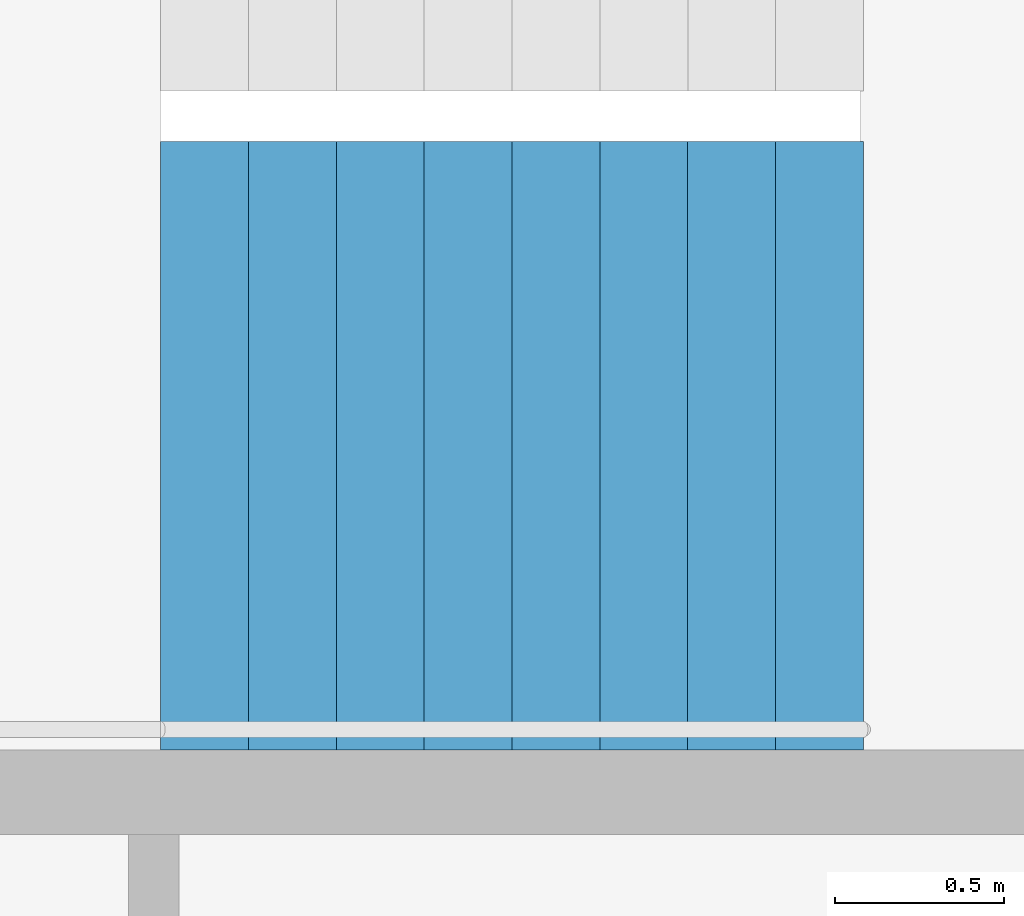
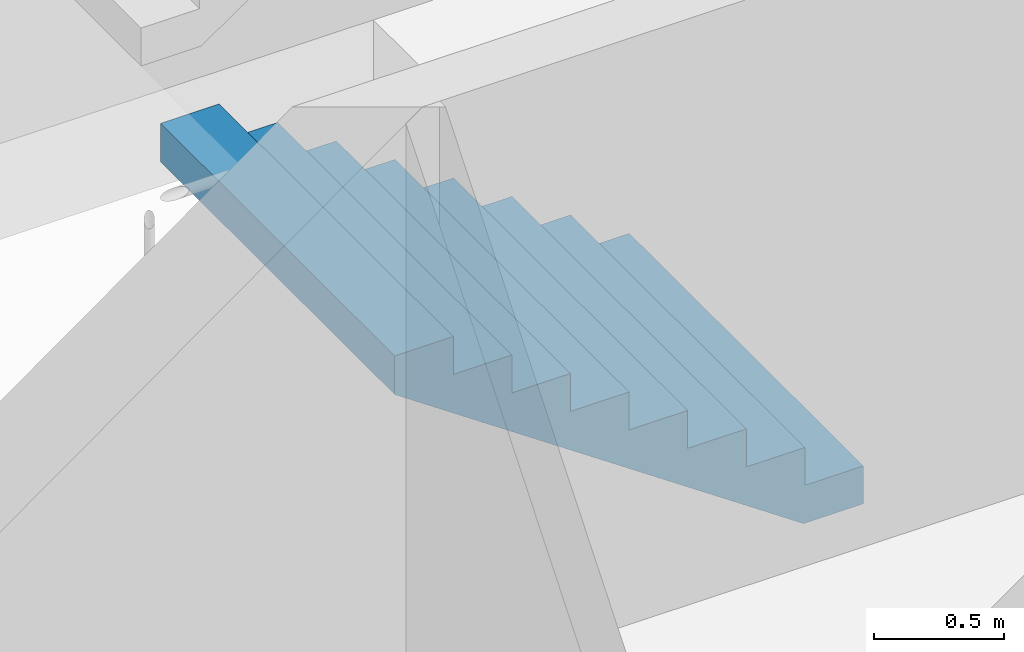
# One storey, part 25 of 27: 1 stair flight, 1 element without a shape of its own.
"""IFC4 building model written with IfcOpenShell, lengths in metres."""

from ifc_helpers import new_model, si_unit, direction, frame, origin, place, context, subcontext, project, spatial, triangles, material, type_object, element, aggregate, save


model = new_model("IFC4")

# Units and contexts
model_context = context("Model", 3, precision=1e-05, world=origin(), true_north=direction((0.0, 1.0)))
body_context = subcontext(model_context, "Body", "Model", "MODEL_VIEW")
ifc_project = project(units=[si_unit("LENGTHUNIT", "METRE"), si_unit("AREAUNIT", "SQUARE_METRE"), si_unit("VOLUMEUNIT", "CUBIC_METRE"), si_unit("PLANEANGLEUNIT", "RADIAN"), si_unit("MASSUNIT", "GRAM", prefix="KILO")], contexts=[model_context])

# Site, building, storey
site_placement = place(None, origin())
site = spatial("IfcSite", under=ifc_project, at=site_placement, CompositionType="ELEMENT")
building_placement = place(site_placement, origin())
building = spatial("IfcBuilding", under=site, at=building_placement, Name="Hakoniwa Tower and Hamabe Station Hall", CompositionType="ELEMENT")
storey_placement = place(building_placement, frame((0.0, 0.0, 248.60009765625)))
storey = spatial("IfcBuildingStorey", under=building, at=storey_placement, Name="L70", CompositionType="ELEMENT", Elevation=248.60009765625)

# Stair, stair flight
ifc_material_1 = material(Name="Concrete C40", Category="concrete")
stair_type = type_object("IfcStairType", Name="ESCAPE STAIR 1800", PredefinedType="HALF_TURN_STAIR", material=ifc_material_1)
stair_placement = place(storey_placement, origin())
stair = element("IfcStair", 1, at=stair_placement, inside=storey, type_object=stair_type, Name="Escape stair ST-3 L70", PredefinedType="HALF_TURN_STAIR")
ifc_material_2 = material(Name="Concrete C40", Category="concrete")
stair_flight_type = type_object("IfcStairFlightType", Name="STAIR FLIGHT 1800", PredefinedType="STRAIGHT", material=ifc_material_2)
stair_flight_placement = place(storey_placement, frame((24.39990234375, 4.64990234375, 0.0), z_axis=(0.0, 0.0, 1.0), x_axis=(-1.0, 0.0, 0.0)))
stair_flight = element("IfcStairFlight", 2, at=stair_flight_placement, type_object=stair_flight_type, Name="ST-3 flight 1", NumberOfRisers=9, NumberOfTreads=8, PredefinedType="STRAIGHT", RiserHeight=0.177777778, TreadLength=0.26, context=body_context, shape_type="Tessellation", body=[
    triangles([(0.0, 0.89990234375, 0.0), (0.260009765625, 0.89990234375, 0.0), (0.265625, 0.89990234375, 0.0), (0.52001953125, 0.89990234375, 0.174072265625), (0.780029296875, 0.89990234375, 0.351806640625), (1.0400390625, 0.89990234375, 0.529541015625), (1.300048828125, 0.89990234375, 0.707275390625), (1.56005859375, 0.89990234375, 0.885009765625), (1.820068359375, 0.89990234375, 1.062744140625), (2.080078125, 0.89990234375, 1.24072265625), (2.080078125, 0.89990234375, 1.422119140625), (1.820068359375, 0.89990234375, 1.422119140625), (1.820068359375, 0.89990234375, 1.244384765625), (1.56005859375, 0.89990234375, 1.244384765625), (1.56005859375, 0.89990234375, 1.066650390625), (1.300048828125, 0.89990234375, 1.066650390625), (1.300048828125, 0.89990234375, 0.888916015625), (1.0400390625, 0.89990234375, 0.888916015625), (1.0400390625, 0.89990234375, 0.711181640625), (0.780029296875, 0.89990234375, 0.711181640625), (0.780029296875, 0.89990234375, 0.533447265625), (0.52001953125, 0.89990234375, 0.533447265625), (0.52001953125, 0.89990234375, 0.35546875), (0.265625, 0.89990234375, 0.35546875), (0.260009765625, 0.89990234375, 0.35546875), (0.260009765625, 0.89990234375, 0.177734375), (0.0, 0.89990234375, 0.177734375), (0.0, 0.06005859375, 0.0), (0.260009765625, 0.06005859375, 0.0), (0.265625, 0.06005859375, 0.0), (0.52001953125, 0.06005859375, 0.174072265625), (0.780029296875, 0.06005859375, 0.351806640625), (1.0400390625, 0.06005859375, 0.529541015625), (1.300048828125, 0.06005859375, 0.707275390625), (1.56005859375, 0.06005859375, 0.885009765625), (1.820068359375, 0.06005859375, 1.062744140625), (2.080078125, 0.06005859375, 1.24072265625), (2.080078125, 0.06005859375, 1.422119140625), (1.820068359375, 0.06005859375, 1.422119140625), (1.820068359375, 0.06005859375, 1.244384765625), (1.56005859375, 0.06005859375, 1.244384765625), (1.56005859375, 0.06005859375, 1.066650390625), (1.300048828125, 0.06005859375, 1.066650390625), (1.300048828125, 0.06005859375, 0.888916015625), (1.0400390625, 0.06005859375, 0.888916015625), (1.0400390625, 0.06005859375, 0.711181640625), (0.780029296875, 0.06005859375, 0.711181640625), (0.780029296875, 0.06005859375, 0.533447265625), (0.52001953125, 0.06005859375, 0.533447265625), (0.52001953125, 0.06005859375, 0.35546875), (0.265625, 0.06005859375, 0.35546875), (0.260009765625, 0.06005859375, 0.35546875), (0.260009765625, 0.06005859375, 0.177734375), (0.0, 0.06005859375, 0.177734375), (0.0, 0.04296875, 0.0), (0.260009765625, 0.04296875, 0.0), (0.265625, 0.04296875, 0.0), (0.52001953125, 0.04296875, 0.174072265625), (0.780029296875, 0.04296875, 0.351806640625), (1.0400390625, 0.04296875, 0.529541015625), (1.300048828125, 0.04296875, 0.707275390625), (1.56005859375, 0.04296875, 0.885009765625), (1.820068359375, 0.04296875, 1.062744140625), (2.080078125, 0.04296875, 1.24072265625), (2.080078125, 0.04296875, 1.422119140625), (1.820068359375, 0.04296875, 1.422119140625), (1.820068359375, 0.04296875, 1.244384765625), (1.56005859375, 0.04296875, 1.244384765625), (1.56005859375, 0.04296875, 1.066650390625), (1.300048828125, 0.04296875, 1.066650390625), (1.300048828125, 0.04296875, 0.888916015625), (1.0400390625, 0.04296875, 0.888916015625), (1.0400390625, 0.04296875, 0.711181640625), (0.780029296875, 0.04296875, 0.711181640625), (0.780029296875, 0.04296875, 0.533447265625), (0.52001953125, 0.04296875, 0.533447265625), (0.52001953125, 0.04296875, 0.35546875), (0.265625, 0.04296875, 0.35546875), (0.260009765625, 0.04296875, 0.35546875), (0.260009765625, 0.04296875, 0.177734375), (0.0, 0.04296875, 0.177734375), (0.0, 0.025634765625, 0.0), (0.260009765625, 0.025634765625, 0.0), (0.265625, 0.025634765625, 0.0), (0.52001953125, 0.025634765625, 0.174072265625), (0.780029296875, 0.025634765625, 0.351806640625), (1.0400390625, 0.025634765625, 0.529541015625), (1.300048828125, 0.025634765625, 0.707275390625), (1.56005859375, 0.025634765625, 0.885009765625), (1.820068359375, 0.025634765625, 1.062744140625), (2.080078125, 0.025634765625, 1.24072265625), (2.080078125, 0.025634765625, 1.422119140625), (1.820068359375, 0.025634765625, 1.422119140625), (1.820068359375, 0.025634765625, 1.244384765625), (1.56005859375, 0.025634765625, 1.244384765625), (1.56005859375, 0.025634765625, 1.066650390625), (1.300048828125, 0.025634765625, 1.066650390625), (1.300048828125, 0.025634765625, 0.888916015625), (1.0400390625, 0.025634765625, 0.888916015625), (1.0400390625, 0.025634765625, 0.711181640625), (0.780029296875, 0.025634765625, 0.711181640625), (0.780029296875, 0.025634765625, 0.533447265625), (0.52001953125, 0.025634765625, 0.533447265625), (0.52001953125, 0.025634765625, 0.35546875), (0.265625, 0.025634765625, 0.35546875), (0.260009765625, 0.025634765625, 0.35546875), (0.260009765625, 0.025634765625, 0.177734375), (0.0, 0.025634765625, 0.177734375), (0.0, 0.008544921875, 0.0), (0.260009765625, 0.008544921875, 0.0), (0.265625, 0.008544921875, 0.0), (0.52001953125, 0.008544921875, 0.174072265625), (0.780029296875, 0.008544921875, 0.351806640625), (1.0400390625, 0.008544921875, 0.529541015625), (1.300048828125, 0.008544921875, 0.707275390625), (1.56005859375, 0.008544921875, 0.885009765625), (1.820068359375, 0.008544921875, 1.062744140625), (2.080078125, 0.008544921875, 1.24072265625), (2.080078125, 0.008544921875, 1.422119140625), (1.820068359375, 0.008544921875, 1.422119140625), (1.820068359375, 0.008544921875, 1.244384765625), (1.56005859375, 0.008544921875, 1.244384765625), (1.56005859375, 0.008544921875, 1.066650390625), (1.300048828125, 0.008544921875, 1.066650390625), (1.300048828125, 0.008544921875, 0.888916015625), (1.0400390625, 0.008544921875, 0.888916015625), (1.0400390625, 0.008544921875, 0.711181640625), (0.780029296875, 0.008544921875, 0.711181640625), (0.780029296875, 0.008544921875, 0.533447265625), (0.52001953125, 0.008544921875, 0.533447265625), (0.52001953125, 0.008544921875, 0.35546875), (0.265625, 0.008544921875, 0.35546875), (0.260009765625, 0.008544921875, 0.35546875), (0.260009765625, 0.008544921875, 0.177734375), (0.0, 0.008544921875, 0.177734375), (0.0, -0.008544921875, 0.0), (0.260009765625, -0.008544921875, 0.0), (0.265625, -0.008544921875, 0.0), (0.52001953125, -0.008544921875, 0.174072265625), (0.780029296875, -0.008544921875, 0.351806640625), (1.0400390625, -0.008544921875, 0.529541015625), (1.300048828125, -0.008544921875, 0.707275390625), (1.56005859375, -0.008544921875, 0.885009765625), (1.820068359375, -0.008544921875, 1.062744140625), (2.080078125, -0.008544921875, 1.24072265625), (2.080078125, -0.008544921875, 1.422119140625), (1.820068359375, -0.008544921875, 1.422119140625), (1.820068359375, -0.008544921875, 1.244384765625), (1.56005859375, -0.008544921875, 1.244384765625), (1.56005859375, -0.008544921875, 1.066650390625), (1.300048828125, -0.008544921875, 1.066650390625), (1.300048828125, -0.008544921875, 0.888916015625), (1.0400390625, -0.008544921875, 0.888916015625), (1.0400390625, -0.008544921875, 0.711181640625), (0.780029296875, -0.008544921875, 0.711181640625), (0.780029296875, -0.008544921875, 0.533447265625), (0.52001953125, -0.008544921875, 0.533447265625), (0.52001953125, -0.008544921875, 0.35546875), (0.265625, -0.008544921875, 0.35546875), (0.260009765625, -0.008544921875, 0.35546875), (0.260009765625, -0.008544921875, 0.177734375), (0.0, -0.008544921875, 0.177734375), (0.0, -0.025634765625, 0.0), (0.260009765625, -0.025634765625, 0.0), (0.265625, -0.025634765625, 0.0), (0.52001953125, -0.025634765625, 0.174072265625), (0.780029296875, -0.025634765625, 0.351806640625), (1.0400390625, -0.025634765625, 0.529541015625), (1.300048828125, -0.025634765625, 0.707275390625), (1.56005859375, -0.025634765625, 0.885009765625), (1.820068359375, -0.025634765625, 1.062744140625), (2.080078125, -0.025634765625, 1.24072265625), (2.080078125, -0.025634765625, 1.422119140625), (1.820068359375, -0.025634765625, 1.422119140625), (1.820068359375, -0.025634765625, 1.244384765625), (1.56005859375, -0.025634765625, 1.244384765625), (1.56005859375, -0.025634765625, 1.066650390625), (1.300048828125, -0.025634765625, 1.066650390625), (1.300048828125, -0.025634765625, 0.888916015625), (1.0400390625, -0.025634765625, 0.888916015625), (1.0400390625, -0.025634765625, 0.711181640625), (0.780029296875, -0.025634765625, 0.711181640625), (0.780029296875, -0.025634765625, 0.533447265625), (0.52001953125, -0.025634765625, 0.533447265625), (0.52001953125, -0.025634765625, 0.35546875), (0.265625, -0.025634765625, 0.35546875), (0.260009765625, -0.025634765625, 0.35546875), (0.260009765625, -0.025634765625, 0.177734375), (0.0, -0.025634765625, 0.177734375), (0.0, -0.04296875, 0.0), (0.260009765625, -0.04296875, 0.0), (0.265625, -0.04296875, 0.0), (0.52001953125, -0.04296875, 0.174072265625), (0.780029296875, -0.04296875, 0.351806640625), (1.0400390625, -0.04296875, 0.529541015625), (1.300048828125, -0.04296875, 0.707275390625), (1.56005859375, -0.04296875, 0.885009765625), (1.820068359375, -0.04296875, 1.062744140625), (2.080078125, -0.04296875, 1.24072265625), (2.080078125, -0.04296875, 1.422119140625), (1.820068359375, -0.04296875, 1.422119140625), (1.820068359375, -0.04296875, 1.244384765625), (1.56005859375, -0.04296875, 1.244384765625), (1.56005859375, -0.04296875, 1.066650390625), (1.300048828125, -0.04296875, 1.066650390625), (1.300048828125, -0.04296875, 0.888916015625), (1.0400390625, -0.04296875, 0.888916015625), (1.0400390625, -0.04296875, 0.711181640625), (0.780029296875, -0.04296875, 0.711181640625), (0.780029296875, -0.04296875, 0.533447265625), (0.52001953125, -0.04296875, 0.533447265625), (0.52001953125, -0.04296875, 0.35546875), (0.265625, -0.04296875, 0.35546875), (0.260009765625, -0.04296875, 0.35546875), (0.260009765625, -0.04296875, 0.177734375), (0.0, -0.04296875, 0.177734375), (0.0, -0.06005859375, 0.0), (0.260009765625, -0.06005859375, 0.0), (0.265625, -0.06005859375, 0.0), (0.52001953125, -0.06005859375, 0.174072265625), (0.780029296875, -0.06005859375, 0.351806640625), (1.0400390625, -0.06005859375, 0.529541015625), (1.300048828125, -0.06005859375, 0.707275390625), (1.56005859375, -0.06005859375, 0.885009765625), (1.820068359375, -0.06005859375, 1.062744140625), (2.080078125, -0.06005859375, 1.24072265625), (2.080078125, -0.06005859375, 1.422119140625), (1.820068359375, -0.06005859375, 1.422119140625), (1.820068359375, -0.06005859375, 1.244384765625), (1.56005859375, -0.06005859375, 1.244384765625), (1.56005859375, -0.06005859375, 1.066650390625), (1.300048828125, -0.06005859375, 1.066650390625), (1.300048828125, -0.06005859375, 0.888916015625), (1.0400390625, -0.06005859375, 0.888916015625), (1.0400390625, -0.06005859375, 0.711181640625), (0.780029296875, -0.06005859375, 0.711181640625), (0.780029296875, -0.06005859375, 0.533447265625), (0.52001953125, -0.06005859375, 0.533447265625), (0.52001953125, -0.06005859375, 0.35546875), (0.265625, -0.06005859375, 0.35546875), (0.260009765625, -0.06005859375, 0.35546875), (0.260009765625, -0.06005859375, 0.177734375), (0.0, -0.06005859375, 0.177734375), (0.0, -0.89990234375, 0.0), (0.260009765625, -0.89990234375, 0.0), (0.265625, -0.89990234375, 0.0), (0.52001953125, -0.89990234375, 0.174072265625), (0.780029296875, -0.89990234375, 0.351806640625), (1.0400390625, -0.89990234375, 0.529541015625), (1.300048828125, -0.89990234375, 0.707275390625), (1.56005859375, -0.89990234375, 0.885009765625), (1.820068359375, -0.89990234375, 1.062744140625), (2.080078125, -0.89990234375, 1.24072265625), (2.080078125, -0.89990234375, 1.422119140625), (1.820068359375, -0.89990234375, 1.422119140625), (1.820068359375, -0.89990234375, 1.244384765625), (1.56005859375, -0.89990234375, 1.244384765625), (1.56005859375, -0.89990234375, 1.066650390625), (1.300048828125, -0.89990234375, 1.066650390625), (1.300048828125, -0.89990234375, 0.888916015625), (1.0400390625, -0.89990234375, 0.888916015625), (1.0400390625, -0.89990234375, 0.711181640625), (0.780029296875, -0.89990234375, 0.711181640625), (0.780029296875, -0.89990234375, 0.533447265625), (0.52001953125, -0.89990234375, 0.533447265625), (0.52001953125, -0.89990234375, 0.35546875), (0.265625, -0.89990234375, 0.35546875), (0.260009765625, -0.89990234375, 0.35546875), (0.260009765625, -0.89990234375, 0.177734375), (0.0, -0.89990234375, 0.177734375)], [[2, 27, 26], [245, 269, 270], [2, 1, 27], [245, 270, 244], [3, 25, 24], [246, 267, 268], [3, 26, 25], [246, 268, 269], [3, 2, 26], [246, 269, 245], [4, 24, 23], [247, 266, 267], [4, 3, 24], [247, 267, 246], [5, 22, 21], [248, 264, 265], [5, 23, 22], [248, 265, 266], [5, 4, 23], [248, 266, 247], [6, 20, 19], [249, 262, 263], [6, 21, 20], [249, 263, 264], [6, 5, 21], [249, 264, 248], [7, 18, 17], [250, 260, 261], [7, 19, 18], [250, 261, 262], [7, 6, 19], [250, 262, 249], [8, 16, 15], [251, 258, 259], [8, 17, 16], [251, 259, 260], [8, 7, 17], [251, 260, 250], [9, 14, 13], [252, 256, 257], [9, 15, 14], [252, 257, 258], [9, 8, 15], [252, 258, 251], [10, 12, 11], [253, 254, 255], [10, 13, 12], [253, 255, 256], [10, 9, 13], [253, 256, 252], [1, 2, 29], [1, 29, 28], [28, 29, 56], [28, 56, 55], [55, 56, 83], [55, 83, 82], [82, 83, 110], [82, 110, 109], [109, 110, 137], [109, 137, 136], [136, 137, 164], [136, 164, 163], [163, 164, 191], [163, 191, 190], [190, 191, 218], [190, 218, 217], [217, 218, 245], [217, 245, 244], [2, 3, 30], [2, 30, 29], [29, 30, 57], [29, 57, 56], [56, 57, 84], [56, 84, 83], [83, 84, 111], [83, 111, 110], [110, 111, 138], [110, 138, 137], [137, 138, 165], [137, 165, 164], [164, 165, 192], [164, 192, 191], [191, 192, 219], [191, 219, 218], [218, 219, 246], [218, 246, 245], [3, 4, 31], [3, 31, 30], [30, 31, 58], [30, 58, 57], [57, 58, 85], [57, 85, 84], [84, 85, 112], [84, 112, 111], [111, 112, 139], [111, 139, 138], [138, 139, 166], [138, 166, 165], [165, 166, 193], [165, 193, 192], [192, 193, 220], [192, 220, 219], [219, 220, 247], [219, 247, 246], [4, 5, 32], [4, 32, 31], [31, 32, 59], [31, 59, 58], [58, 59, 86], [58, 86, 85], [85, 86, 113], [85, 113, 112], [112, 113, 140], [112, 140, 139], [139, 140, 167], [139, 167, 166], [166, 167, 194], [166, 194, 193], [193, 194, 221], [193, 221, 220], [220, 221, 248], [220, 248, 247], [5, 6, 33], [5, 33, 32], [32, 33, 60], [32, 60, 59], [59, 60, 87], [59, 87, 86], [86, 87, 114], [86, 114, 113], [113, 114, 141], [113, 141, 140], [140, 141, 168], [140, 168, 167], [167, 168, 195], [167, 195, 194], [194, 195, 222], [194, 222, 221], [221, 222, 249], [221, 249, 248], [6, 7, 34], [6, 34, 33], [33, 34, 61], [33, 61, 60], [60, 61, 88], [60, 88, 87], [87, 88, 115], [87, 115, 114], [114, 115, 142], [114, 142, 141], [141, 142, 169], [141, 169, 168], [168, 169, 196], [168, 196, 195], [195, 196, 223], [195, 223, 222], [222, 223, 250], [222, 250, 249], [7, 8, 35], [7, 35, 34], [34, 35, 62], [34, 62, 61], [61, 62, 89], [61, 89, 88], [88, 89, 116], [88, 116, 115], [115, 116, 143], [115, 143, 142], [142, 143, 170], [142, 170, 169], [169, 170, 197], [169, 197, 196], [196, 197, 224], [196, 224, 223], [223, 224, 251], [223, 251, 250], [8, 9, 36], [8, 36, 35], [35, 36, 63], [35, 63, 62], [62, 63, 90], [62, 90, 89], [89, 90, 117], [89, 117, 116], [116, 117, 144], [116, 144, 143], [143, 144, 171], [143, 171, 170], [170, 171, 198], [170, 198, 197], [197, 198, 225], [197, 225, 224], [224, 225, 252], [224, 252, 251], [9, 10, 37], [9, 37, 36], [36, 37, 64], [36, 64, 63], [63, 64, 91], [63, 91, 90], [90, 91, 118], [90, 118, 117], [117, 118, 145], [117, 145, 144], [144, 145, 172], [144, 172, 171], [171, 172, 199], [171, 199, 198], [198, 199, 226], [198, 226, 225], [225, 226, 253], [225, 253, 252], [10, 11, 38], [10, 38, 37], [37, 38, 65], [37, 65, 64], [64, 65, 92], [64, 92, 91], [91, 92, 119], [91, 119, 118], [118, 119, 146], [118, 146, 145], [145, 146, 173], [145, 173, 172], [172, 173, 200], [172, 200, 199], [199, 200, 227], [199, 227, 226], [226, 227, 254], [226, 254, 253], [11, 12, 39], [11, 39, 38], [38, 39, 66], [38, 66, 65], [65, 66, 93], [65, 93, 92], [92, 93, 120], [92, 120, 119], [119, 120, 147], [119, 147, 146], [146, 147, 174], [146, 174, 173], [173, 174, 201], [173, 201, 200], [200, 201, 228], [200, 228, 227], [227, 228, 255], [227, 255, 254], [12, 13, 40], [12, 40, 39], [39, 40, 67], [39, 67, 66], [66, 67, 94], [66, 94, 93], [93, 94, 121], [93, 121, 120], [120, 121, 148], [120, 148, 147], [147, 148, 175], [147, 175, 174], [174, 175, 202], [174, 202, 201], [201, 202, 229], [201, 229, 228], [228, 229, 256], [228, 256, 255], [13, 14, 41], [13, 41, 40], [40, 41, 68], [40, 68, 67], [67, 68, 95], [67, 95, 94], [94, 95, 122], [94, 122, 121], [121, 122, 149], [121, 149, 148], [148, 149, 176], [148, 176, 175], [175, 176, 203], [175, 203, 202], [202, 203, 230], [202, 230, 229], [229, 230, 257], [229, 257, 256], [14, 15, 42], [14, 42, 41], [41, 42, 69], [41, 69, 68], [68, 69, 96], [68, 96, 95], [95, 96, 123], [95, 123, 122], [122, 123, 150], [122, 150, 149], [149, 150, 177], [149, 177, 176], [176, 177, 204], [176, 204, 203], [203, 204, 231], [203, 231, 230], [230, 231, 258], [230, 258, 257], [15, 16, 43], [15, 43, 42], [42, 43, 70], [42, 70, 69], [69, 70, 97], [69, 97, 96], [96, 97, 124], [96, 124, 123], [123, 124, 151], [123, 151, 150], [150, 151, 178], [150, 178, 177], [177, 178, 205], [177, 205, 204], [204, 205, 232], [204, 232, 231], [231, 232, 259], [231, 259, 258], [16, 17, 44], [16, 44, 43], [43, 44, 71], [43, 71, 70], [70, 71, 98], [70, 98, 97], [97, 98, 125], [97, 125, 124], [124, 125, 152], [124, 152, 151], [151, 152, 179], [151, 179, 178], [178, 179, 206], [178, 206, 205], [205, 206, 233], [205, 233, 232], [232, 233, 260], [232, 260, 259], [17, 18, 45], [17, 45, 44], [44, 45, 72], [44, 72, 71], [71, 72, 99], [71, 99, 98], [98, 99, 126], [98, 126, 125], [125, 126, 153], [125, 153, 152], [152, 153, 180], [152, 180, 179], [179, 180, 207], [179, 207, 206], [206, 207, 234], [206, 234, 233], [233, 234, 261], [233, 261, 260], [18, 19, 46], [18, 46, 45], [45, 46, 73], [45, 73, 72], [72, 73, 100], [72, 100, 99], [99, 100, 127], [99, 127, 126], [126, 127, 154], [126, 154, 153], [153, 154, 181], [153, 181, 180], [180, 181, 208], [180, 208, 207], [207, 208, 235], [207, 235, 234], [234, 235, 262], [234, 262, 261], [19, 20, 47], [19, 47, 46], [46, 47, 74], [46, 74, 73], [73, 74, 101], [73, 101, 100], [100, 101, 128], [100, 128, 127], [127, 128, 155], [127, 155, 154], [154, 155, 182], [154, 182, 181], [181, 182, 209], [181, 209, 208], [208, 209, 236], [208, 236, 235], [235, 236, 263], [235, 263, 262], [20, 21, 48], [20, 48, 47], [47, 48, 75], [47, 75, 74], [74, 75, 102], [74, 102, 101], [101, 102, 129], [101, 129, 128], [128, 129, 156], [128, 156, 155], [155, 156, 183], [155, 183, 182], [182, 183, 210], [182, 210, 209], [209, 210, 237], [209, 237, 236], [236, 237, 264], [236, 264, 263], [21, 22, 49], [21, 49, 48], [48, 49, 76], [48, 76, 75], [75, 76, 103], [75, 103, 102], [102, 103, 130], [102, 130, 129], [129, 130, 157], [129, 157, 156], [156, 157, 184], [156, 184, 183], [183, 184, 211], [183, 211, 210], [210, 211, 238], [210, 238, 237], [237, 238, 265], [237, 265, 264], [22, 23, 50], [22, 50, 49], [49, 50, 77], [49, 77, 76], [76, 77, 104], [76, 104, 103], [103, 104, 131], [103, 131, 130], [130, 131, 158], [130, 158, 157], [157, 158, 185], [157, 185, 184], [184, 185, 212], [184, 212, 211], [211, 212, 239], [211, 239, 238], [238, 239, 266], [238, 266, 265], [23, 24, 51], [23, 51, 50], [50, 51, 78], [50, 78, 77], [77, 78, 105], [77, 105, 104], [104, 105, 132], [104, 132, 131], [131, 132, 159], [131, 159, 158], [158, 159, 186], [158, 186, 185], [185, 186, 213], [185, 213, 212], [212, 213, 240], [212, 240, 239], [239, 240, 267], [239, 267, 266], [24, 25, 52], [24, 52, 51], [51, 52, 79], [51, 79, 78], [78, 79, 106], [78, 106, 105], [105, 106, 133], [105, 133, 132], [132, 133, 160], [132, 160, 159], [159, 160, 187], [159, 187, 186], [186, 187, 214], [186, 214, 213], [213, 214, 241], [213, 241, 240], [240, 241, 268], [240, 268, 267], [25, 26, 53], [25, 53, 52], [52, 53, 80], [52, 80, 79], [79, 80, 107], [79, 107, 106], [106, 107, 134], [106, 134, 133], [133, 134, 161], [133, 161, 160], [160, 161, 188], [160, 188, 187], [187, 188, 215], [187, 215, 214], [214, 215, 242], [214, 242, 241], [241, 242, 269], [241, 269, 268], [26, 27, 54], [26, 54, 53], [53, 54, 81], [53, 81, 80], [80, 81, 108], [80, 108, 107], [107, 108, 135], [107, 135, 134], [134, 135, 162], [134, 162, 161], [161, 162, 189], [161, 189, 188], [188, 189, 216], [188, 216, 215], [215, 216, 243], [215, 243, 242], [242, 243, 270], [242, 270, 269], [27, 1, 28], [27, 28, 54], [54, 28, 55], [54, 55, 81], [81, 55, 82], [81, 82, 108], [108, 82, 109], [108, 109, 135], [135, 109, 136], [135, 136, 162], [162, 136, 163], [162, 163, 189], [189, 163, 190], [189, 190, 216], [216, 190, 217], [216, 217, 243], [243, 217, 244], [243, 244, 270]], closed=True),
])
aggregate(stair, [stair_flight])

save(model, "model.ifc")
